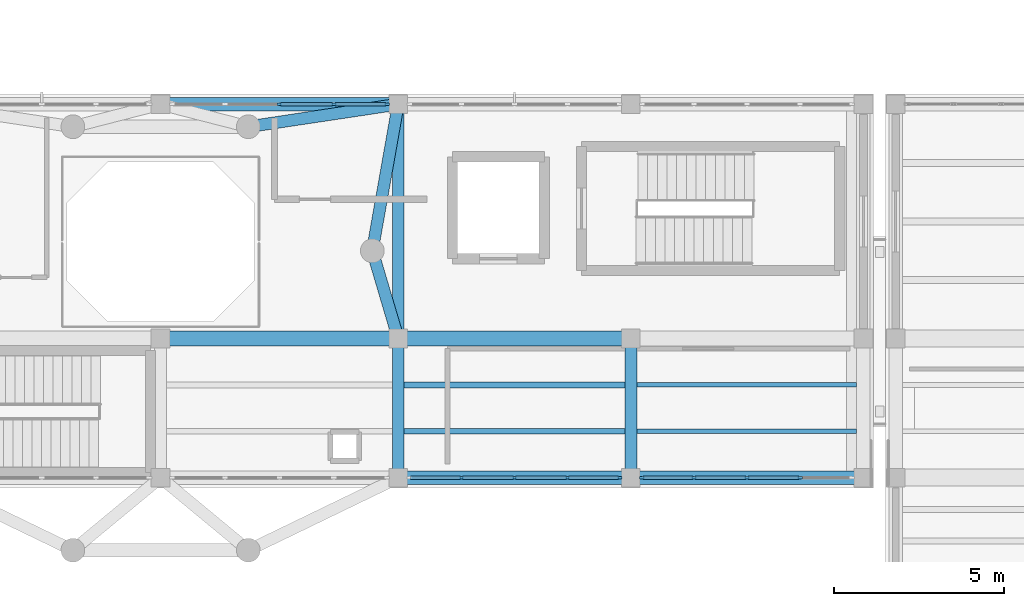
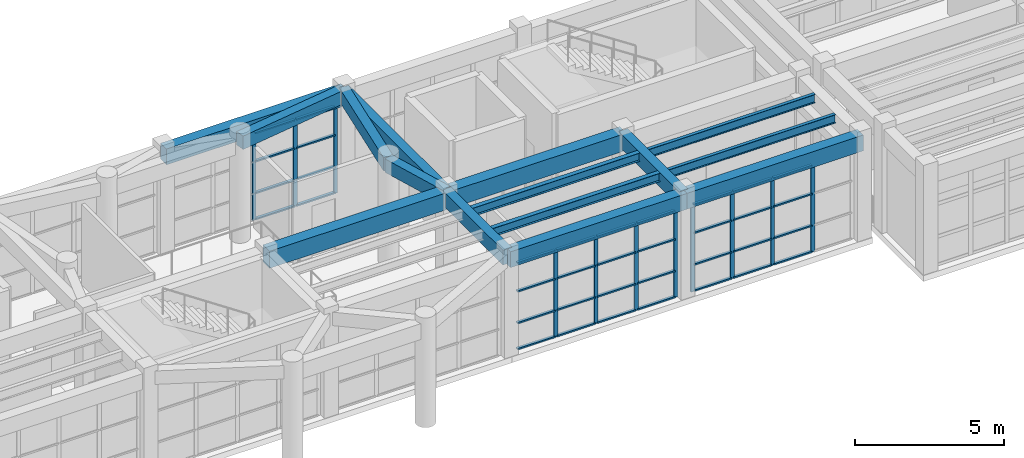
# One storey, part 19 of 85: 47 members, 15 beams, 3 elements without a shape of their own.
"""IFC4 building model written with IfcOpenShell, lengths in metres."""

import ifcopenshell
import ifcopenshell.guid

model = None  # the IFC model being written
_history = None  # IfcOwnerHistory: only IFC2X3 demands one
_inside = {}  # id of a spatial element -> (the spatial element, [elements in it])
_under = {}  # id of a project, library or spatial element -> (it, [spatial elements below it])
_declared = {}  # id of a project -> (the project, [libraries it declares])
_typed = {}  # id of a type object -> (the type object, [elements of that type])
_made_of = {}  # id of a material, layer set ... -> (it, [elements and type objects made of it])


def new_model(schema):
    """Start an empty IFC model of exactly this schema.

    Asked for "IFC4X3", IfcOpenShell would pick the latest addendum, in which some entities
    have other attributes; the version numbers below select the first issue.
    IFC2X3 requires an IfcOwnerHistory on every rooted entity: one is made here for all.
    """
    global model, _history
    if schema == "IFC4X3":
        model = ifcopenshell.file(schema_version=(4, 3, 0, 0))
    else:
        model = ifcopenshell.file(schema=schema)
    _inside.clear()
    _under.clear()
    _declared.clear()
    _typed.clear()
    _made_of.clear()
    _history = None
    if model.schema == "IFC2X3":
        org = make("IfcOrganization", Name="unknown")
        user = make(
            "IfcPersonAndOrganization",
            ThePerson=make("IfcPerson", FamilyName="unknown"),
            TheOrganization=org,
        )
        app = make(
            "IfcApplication",
            ApplicationDeveloper=org,
            Version="unknown",
            ApplicationFullName="unknown",
            ApplicationIdentifier="unknown",
        )
        _history = make(
            "IfcOwnerHistory",
            OwningUser=user,
            OwningApplication=app,
            ChangeAction="ADDED",
            CreationDate=0,
        )
    return model


def make(cls, **values):
    """One entity of the class cls with the attributes given. An attribute that is None is left unset."""
    return model.create_entity(
        cls, **{name: value for name, value in values.items() if value is not None}
    )


def rooted(cls, **values):
    """An entity with a GlobalId (a new one), such as an element, a storey or a relation."""
    return make(cls, GlobalId=ifcopenshell.guid.new(), OwnerHistory=_history, **values)


def si_unit(unit_type, name, prefix=None):
    """IfcSIUnit, for example si_unit("LENGTHUNIT", "METRE", prefix="MILLI")."""
    return make("IfcSIUnit", UnitType=unit_type, Prefix=prefix, Name=name)


def assignment(units):
    """IfcUnitAssignment: the units of a project."""
    return None if units is None else make("IfcUnitAssignment", Units=units)


def point(xyz):
    """IfcCartesianPoint."""
    return None if xyz is None else make("IfcCartesianPoint", Coordinates=xyz)


def direction(xyz):
    """IfcDirection."""
    return None if xyz is None else make("IfcDirection", DirectionRatios=xyz)


def frame(location, z_axis=None, x_axis=None):
    """IfcAxis2Placement3D, a coordinate frame: its origin and axes. An axis left out is left unset."""
    return make(
        "IfcAxis2Placement3D",
        Location=point(location),
        Axis=direction(z_axis),
        RefDirection=direction(x_axis),
    )


def frame_2d(location, x_axis=None):
    """IfcAxis2Placement2D, a coordinate frame in the plane: its origin and x axis."""
    return make(
        "IfcAxis2Placement2D", Location=point(location), RefDirection=direction(x_axis)
    )


def origin():
    """The frame at (0, 0, 0) with its axes left unset."""
    return frame((0.0, 0.0, 0.0))


def origin_2d():
    """The frame at (0, 0) in the plane with its x axis left unset."""
    return frame_2d((0.0, 0.0))


def place(relative_to, where):
    """IfcLocalPlacement: puts the frame where relative to a parent placement (None: the world)."""
    return make(
        "IfcLocalPlacement", PlacementRelTo=relative_to, RelativePlacement=where
    )


def context(
    kind, dimensions, precision=None, world=None, true_north=None, identifier=None
):
    """IfcGeometricRepresentationContext, for example the 3D "Model" context."""
    return make(
        "IfcGeometricRepresentationContext",
        ContextIdentifier=identifier,
        ContextType=kind,
        CoordinateSpaceDimension=dimensions,
        Precision=precision,
        WorldCoordinateSystem=world,
        TrueNorth=true_north,
    )


def subcontext(parent, identifier, kind, view, scale=None):
    """IfcGeometricRepresentationSubContext, for example "Body" below "Model"."""
    return make(
        "IfcGeometricRepresentationSubContext",
        ContextIdentifier=identifier,
        ContextType=kind,
        ParentContext=parent,
        TargetScale=scale,
        TargetView=view,
    )


def project(units=None, contexts=None):
    """IfcProject with its units and contexts."""
    return rooted(
        "IfcProject",
        Name="project",
        RepresentationContexts=contexts,
        UnitsInContext=assignment(units),
    )


def spatial(cls, under=None, at=None, **own):
    """A site, building, storey or space (cls), placed at a placement, below another one or the project."""
    s = rooted(cls, ObjectPlacement=at, **own)
    if under is not None:
        _under.setdefault(under.id(), (under, []))[1].append(s)
    return s


def profile(cls, at=None, kind="AREA", **sizes):
    """A parametric profile (cls). Its sizes go by their IFC names, for example OverallWidth=200.0."""
    return make(cls, ProfileType=kind, Position=at, **sizes)


def rectangle(**sizes):
    """IfcRectangleProfileDef."""
    return profile("IfcRectangleProfileDef", **sizes)


def i_section(**sizes):
    """IfcIShapeProfileDef."""
    return profile("IfcIShapeProfileDef", **sizes)


def extrude(swept, where, along, depth):
    """IfcExtrudedAreaSolid: the profile swept, set in the frame where, extruded along a direction by depth."""
    return make(
        "IfcExtrudedAreaSolid",
        SweptArea=swept,
        Position=where,
        ExtrudedDirection=direction(along),
        Depth=depth,
    )


def shape(context_of_items, identifier, shape_type, items):
    """IfcShapeRepresentation: the items that make up one representation, for example the "Body"."""
    return make(
        "IfcShapeRepresentation",
        ContextOfItems=context_of_items,
        RepresentationIdentifier=identifier,
        RepresentationType=shape_type,
        Items=items,
    )


def material(Name=None, Category=None):
    """IfcMaterial."""
    return make("IfcMaterial", Name=Name, Category=Category)


def layer(
    of_material, thickness, ventilated=None, Name=None, Category=None, Priority=None
):
    """IfcMaterialLayer: one layer of a wall or slab, of a material (None: an air gap)."""
    return make(
        "IfcMaterialLayer",
        Material=of_material,
        LayerThickness=thickness,
        IsVentilated=ventilated,
        Name=Name,
        Category=Category,
        Priority=Priority,
    )


def layer_set(layers, Name=None):
    """IfcMaterialLayerSet."""
    return make("IfcMaterialLayerSet", MaterialLayers=layers, LayerSetName=Name)


def material_profile(
    of_material, cross_section, Name=None, Category=None, Priority=None
):
    """IfcMaterialProfile: a cross section and its material."""
    return make(
        "IfcMaterialProfile",
        Name=Name,
        Material=of_material,
        Profile=cross_section,
        Priority=Priority,
        Category=Category,
    )


def profile_set(profiles, Name=None, composite=None):
    """IfcMaterialProfileSet."""
    return make(
        "IfcMaterialProfileSet",
        Name=Name,
        MaterialProfiles=profiles,
        CompositeProfile=composite,
    )


def made_of(thing, what):
    """Note that an element or type object is made of a material, layer set ...; save() writes the relation."""
    if what is not None:
        _made_of.setdefault(what.id(), (what, []))[1].append(thing)
    return thing


def type_object(cls, material=None, **own):
    """A type object (cls), such as IfcWallType, which elements share."""
    return made_of(rooted(cls, **own), material)


def element(
    cls,
    number,
    at=None,
    inside=None,
    cuts=None,
    type_object=None,
    material=None,
    context=None,
    identifier="Body",
    shape_type=None,
    held_by="IfcProductDefinitionShape",
    body=None,
    shapes=None,
    **own,
):
    """One element of the class cls, such as IfcWall. Its Tag is "e" and its number.

    at: its placement. inside: the storey or other place that contains it. cuts: it is an
    opening in that element (IfcRelVoidsElement). A single representation is given by context,
    identifier, shape_type and body (its items); several are given by shapes. held_by: the class
    of the entity that holds the representations. save() writes the other relations.
    """
    e = rooted(cls, Tag="e%d" % number, ObjectPlacement=at, **own)
    if body is not None:
        shapes = [shape(context, identifier, shape_type, body)]
    if shapes is not None:
        e.Representation = make(held_by, Representations=shapes)
    if inside is not None:
        _inside.setdefault(inside.id(), (inside, []))[1].append(e)
    if cuts is not None:
        rooted(
            "IfcRelVoidsElement", RelatingBuildingElement=cuts, RelatedOpeningElement=e
        )
    if type_object is not None:
        _typed.setdefault(type_object.id(), (type_object, []))[1].append(e)
    return made_of(e, material)


def aggregate(whole, parts):
    """IfcRelAggregates: a whole, such as a stair, and the parts it consists of."""
    return rooted("IfcRelAggregates", RelatingObject=whole, RelatedObjects=parts)


def save(model, path):
    """Write the relations noted so far, then the file.

    IfcRelAggregates (storeys below a building ...), IfcRelContainedInSpatialStructure (elements
    in a storey), IfcRelDefinesByType, IfcRelAssociatesMaterial and IfcRelDeclares: one each for
    every whole, place, type object, material and project.
    """
    for whole, parts in _under.values():
        aggregate(whole, parts)
    for where, things in _inside.values():
        rooted(
            "IfcRelContainedInSpatialStructure",
            RelatedElements=things,
            RelatingStructure=where,
        )
    for kind, things in _typed.values():
        rooted("IfcRelDefinesByType", RelatedObjects=things, RelatingType=kind)
    for what, things in _made_of.values():
        rooted("IfcRelAssociatesMaterial", RelatedObjects=things, RelatingMaterial=what)
    for by, libraries in _declared.values():
        rooted("IfcRelDeclares", RelatingContext=by, RelatedDefinitions=libraries)
    model.write(path)


model = new_model("IFC4")

# Units and contexts
model_context = context("Model", 3, precision=1e-05, world=origin(), true_north=direction((0.0, 1.0)))
body_context = subcontext(model_context, "Body", "Model", "MODEL_VIEW")
ifc_project = project(units=[si_unit("LENGTHUNIT", "METRE"), si_unit("AREAUNIT", "SQUARE_METRE"), si_unit("VOLUMEUNIT", "CUBIC_METRE"), si_unit("PLANEANGLEUNIT", "RADIAN"), si_unit("MASSUNIT", "GRAM", prefix="KILO")], contexts=[model_context])

# Site, building, storey
site_placement = place(None, origin())
site = spatial("IfcSite", under=ifc_project, at=site_placement, CompositionType="ELEMENT")
building_placement = place(site_placement, origin())
building = spatial("IfcBuilding", under=site, at=building_placement, Name="Candilejo Ridge Gondola Terminal", CompositionType="ELEMENT")
storey_placement = place(building_placement, frame((0.0, 0.0, 4.5)))
storey = spatial("IfcBuildingStorey", under=building, at=storey_placement, Name="L01", CompositionType="ELEMENT", Elevation=4.5)

# Curtain wall, members
ifc_material_1 = material(Name="Anodised aluminium AA 6063-T6", Category="aluminium")
ifc_layer_1 = layer(ifc_material_1, 0.169921875)
ifc_layer_set_1 = layer_set([ifc_layer_1], Name="ARC-CW-DRUM-3400-640X359")
curtain_wall_type_1 = type_object("IfcCurtainWallType", Name="ARC-CW-DRUM-3400-640X359", PredefinedType="NOTDEFINED", material=ifc_layer_set_1)
curtain_wall_1_placement = place(storey_placement, origin())
curtain_wall_1 = element("IfcCurtainWall", 1, at=curtain_wall_1_placement, inside=storey, type_object=curtain_wall_type_1, Name="Curtain wall V2 L01-040", PredefinedType="NOTDEFINED")
ifc_material_2 = material(Name="Anodised aluminium AA 6063-T6", Category="aluminium")
ifc_material_profile_1 = material_profile(ifc_material_2, rectangle(XDim=0.06494140625, YDim=0.14990234375, at=origin_2d()))
ifc_profile_set_1 = profile_set([ifc_material_profile_1], Name="Anodised aluminium AA 6063-T6")
member_type_1 = type_object("IfcMemberType", Name="ARC-CW-MULLION-150", PredefinedType="MULLION", material=ifc_profile_set_1)
member_1_placement = place(storey_placement, frame((68.85009765625, 36.699951171875, 0.0), z_axis=(0.0, 0.0, 1.0), x_axis=(0.0, 1.0, 0.0)))
member_1 = element("IfcMember", 2, at=member_1_placement, type_object=member_type_1, Name="CW-64X35 mullion 3", PredefinedType="MULLION", context=body_context, shape_type="SweptSolid", body=[
    extrude(rectangle(XDim=0.06494140625, YDim=0.14990234375, at=origin_2d()), origin(), (0.0, 0.0, 1.0), 3.590087890625),
])
member_2_placement = place(storey_placement, frame((70.449951171875, 36.699951171875, 0.0), z_axis=(0.0, 0.0, 1.0), x_axis=(0.0, 1.0, 0.0)))
member_2 = element("IfcMember", 3, at=member_2_placement, type_object=member_type_1, Name="CW-64X35 mullion 4", PredefinedType="MULLION", context=body_context, shape_type="SweptSolid", body=[
    extrude(rectangle(XDim=0.06494140625, YDim=0.14990234375, at=origin_2d()), origin(), (0.0, 0.0, 1.0), 3.590087890625),
])
member_3_placement = place(storey_placement, frame((72.017578125, 36.699951171875, 0.0), z_axis=(0.0, 0.0, 1.0), x_axis=(0.0, 1.0, 0.0)))
member_3 = element("IfcMember", 4, at=member_3_placement, type_object=member_type_1, Name="CW-64X35 mullion 5", PredefinedType="MULLION", context=body_context, shape_type="SweptSolid", body=[
    extrude(rectangle(XDim=0.06494140625, YDim=0.14990234375, at=origin_2d()), origin(), (0.0, 0.0, 1.0), 3.590087890625),
])

ifc_material_3 = material(Name="Anodised aluminium AA 6063-T6", Category="aluminium")
ifc_layer_2 = layer(ifc_material_3, 0.169921875)
ifc_layer_set_2 = layer_set([ifc_layer_2], Name="ARC-CW-DRUM-3400-625X359")
curtain_wall_type_2 = type_object("IfcCurtainWallType", Name="ARC-CW-DRUM-3400-625X359", PredefinedType="NOTDEFINED", material=ifc_layer_set_2)
curtain_wall_2_placement = place(storey_placement, origin())
curtain_wall_2 = element("IfcCurtainWall", 5, at=curtain_wall_2_placement, inside=storey, type_object=curtain_wall_type_2, Name="Curtain wall V2 L01-043", PredefinedType="NOTDEFINED")
member_4_placement = place(storey_placement, frame((74.21240234375, 25.699951171875, 0.0), z_axis=(0.0, 0.0, 1.0), x_axis=(0.0, 1.0, 0.0)))
member_4 = element("IfcMember", 6, at=member_4_placement, type_object=member_type_1, Name="CW-62X35 mullion 2", PredefinedType="MULLION", context=body_context, shape_type="SweptSolid", body=[
    extrude(rectangle(XDim=0.06494140625, YDim=0.14990234375, at=origin_2d()), origin(), (0.0, 0.0, 1.0), 3.590087890625),
])
member_5_placement = place(storey_placement, frame((75.77490234375, 25.699951171875, 0.0), z_axis=(0.0, 0.0, 1.0), x_axis=(0.0, 1.0, 0.0)))
member_5 = element("IfcMember", 7, at=member_5_placement, type_object=member_type_1, Name="CW-62X35 mullion 3", PredefinedType="MULLION", context=body_context, shape_type="SweptSolid", body=[
    extrude(rectangle(XDim=0.06494140625, YDim=0.14990234375, at=origin_2d()), origin(), (0.0, 0.0, 1.0), 3.590087890625),
])
member_6_placement = place(storey_placement, frame((77.33740234375, 25.699951171875, 0.0), z_axis=(0.0, 0.0, 1.0), x_axis=(0.0, 1.0, 0.0)))
member_6 = element("IfcMember", 8, at=member_6_placement, type_object=member_type_1, Name="CW-62X35 mullion 4", PredefinedType="MULLION", context=body_context, shape_type="SweptSolid", body=[
    extrude(rectangle(XDim=0.06494140625, YDim=0.14990234375, at=origin_2d()), origin(), (0.0, 0.0, 1.0), 3.590087890625),
])
member_7_placement = place(storey_placement, frame((78.867431640625, 25.699951171875, 0.0), z_axis=(0.0, 0.0, 1.0), x_axis=(0.0, 1.0, 0.0)))
member_7 = element("IfcMember", 9, at=member_7_placement, type_object=member_type_1, Name="CW-62X35 mullion 5", PredefinedType="MULLION", context=body_context, shape_type="SweptSolid", body=[
    extrude(rectangle(XDim=0.06494140625, YDim=0.14990234375, at=origin_2d()), origin(), (0.0, 0.0, 1.0), 3.590087890625),
])

curtain_wall_3_placement = place(storey_placement, origin())
curtain_wall_3 = element("IfcCurtainWall", 10, at=curtain_wall_3_placement, inside=storey, type_object=curtain_wall_type_2, Name="Curtain wall V2 L01-045", PredefinedType="NOTDEFINED")
member_8_placement = place(storey_placement, frame((79.532470703125, 25.699951171875, 0.0), z_axis=(0.0, 0.0, 1.0), x_axis=(0.0, 1.0, 0.0)))
member_8 = element("IfcMember", 11, at=member_8_placement, type_object=member_type_1, Name="CW-62X35 mullion 1", PredefinedType="MULLION", context=body_context, shape_type="SweptSolid", body=[
    extrude(rectangle(XDim=0.06494140625, YDim=0.14990234375, at=origin_2d()), origin(), (0.0, 0.0, 1.0), 3.590087890625),
])
member_9_placement = place(storey_placement, frame((81.0625, 25.699951171875, 0.0), z_axis=(0.0, 0.0, 1.0), x_axis=(0.0, 1.0, 0.0)))
member_9 = element("IfcMember", 12, at=member_9_placement, type_object=member_type_1, Name="CW-62X35 mullion 2", PredefinedType="MULLION", context=body_context, shape_type="SweptSolid", body=[
    extrude(rectangle(XDim=0.06494140625, YDim=0.14990234375, at=origin_2d()), origin(), (0.0, 0.0, 1.0), 3.590087890625),
])
member_10_placement = place(storey_placement, frame((82.625, 25.699951171875, 0.0), z_axis=(0.0, 0.0, 1.0), x_axis=(0.0, 1.0, 0.0)))
member_10 = element("IfcMember", 13, at=member_10_placement, type_object=member_type_1, Name="CW-62X35 mullion 3", PredefinedType="MULLION", context=body_context, shape_type="SweptSolid", body=[
    extrude(rectangle(XDim=0.06494140625, YDim=0.14990234375, at=origin_2d()), origin(), (0.0, 0.0, 1.0), 3.590087890625),
])
member_11_placement = place(storey_placement, frame((84.1875, 25.699951171875, 0.0), z_axis=(0.0, 0.0, 1.0), x_axis=(0.0, 1.0, 0.0)))
member_11 = element("IfcMember", 14, at=member_11_placement, type_object=member_type_1, Name="CW-62X35 mullion 4", PredefinedType="MULLION", context=body_context, shape_type="SweptSolid", body=[
    extrude(rectangle(XDim=0.06494140625, YDim=0.14990234375, at=origin_2d()), origin(), (0.0, 0.0, 1.0), 3.590087890625),
])

# Member
ifc_material_4 = material(Name="Anodised aluminium AA 6063-T6", Category="aluminium")
ifc_material_profile_2 = material_profile(ifc_material_4, rectangle(XDim=0.110107421875, YDim=0.06005859375, at=origin_2d()))
ifc_profile_set_2 = profile_set([ifc_material_profile_2], Name="Anodised aluminium AA 6063-T6")
member_type_2 = type_object("IfcMemberType", Name="ARC-CW-TRANSOM-110", PredefinedType="USERDEFINED", material=ifc_profile_set_2)
member_12_placement = place(storey_placement, frame((68.882568359375, 36.699951171875, 0.030029296875), z_axis=(1.0, 0.0, 0.0), x_axis=(0.0, 1.0, 0.0)))
member_12 = element("IfcMember", 15, at=member_12_placement, type_object=member_type_2, Name="CW-64X35 transom 3.1", ObjectType="TRANSOM", PredefinedType="USERDEFINED", context=body_context, shape_type="SweptSolid", body=[
    extrude(rectangle(XDim=0.110107421875, YDim=0.06005859375, at=origin_2d()), origin(), (0.0, 0.0, 1.0), 1.534912109375),
])

member_13_placement = place(storey_placement, frame((68.882568359375, 36.699951171875, 1.10009765625), z_axis=(1.0, 0.0, 0.0), x_axis=(0.0, 1.0, 0.0)))
member_13 = element("IfcMember", 16, at=member_13_placement, type_object=member_type_2, Name="CW-64X35 transom 3.2", ObjectType="TRANSOM", PredefinedType="USERDEFINED", context=body_context, shape_type="SweptSolid", body=[
    extrude(rectangle(XDim=0.110107421875, YDim=0.06005859375, at=origin_2d()), origin(), (0.0, 0.0, 1.0), 1.534912109375),
])

member_14_placement = place(storey_placement, frame((68.882568359375, 36.699951171875, 2.39990234375), z_axis=(1.0, 0.0, 0.0), x_axis=(0.0, 1.0, 0.0)))
member_14 = element("IfcMember", 17, at=member_14_placement, type_object=member_type_2, Name="CW-64X35 transom 3.3", ObjectType="TRANSOM", PredefinedType="USERDEFINED", context=body_context, shape_type="SweptSolid", body=[
    extrude(rectangle(XDim=0.110107421875, YDim=0.06005859375, at=origin_2d()), origin(), (0.0, 0.0, 1.0), 1.534912109375),
])

member_15_placement = place(storey_placement, frame((68.882568359375, 36.699951171875, 3.56005859375), z_axis=(1.0, 0.0, 0.0), x_axis=(0.0, 1.0, 0.0)))
member_15 = element("IfcMember", 18, at=member_15_placement, type_object=member_type_2, Name="CW-64X35 transom 3.4", ObjectType="TRANSOM", PredefinedType="USERDEFINED", context=body_context, shape_type="SweptSolid", body=[
    extrude(rectangle(XDim=0.110107421875, YDim=0.06005859375, at=origin_2d()), origin(), (0.0, 0.0, 1.0), 1.534912109375),
])

member_16_placement = place(storey_placement, frame((70.482421875, 36.699951171875, 0.030029296875), z_axis=(1.0, 0.0, 0.0), x_axis=(0.0, 1.0, 0.0)))
member_16 = element("IfcMember", 19, at=member_16_placement, type_object=member_type_2, Name="CW-64X35 transom 4.1", ObjectType="TRANSOM", PredefinedType="USERDEFINED", context=body_context, shape_type="SweptSolid", body=[
    extrude(rectangle(XDim=0.110107421875, YDim=0.06005859375, at=origin_2d()), origin(), (0.0, 0.0, 1.0), 1.502685546875),
])

member_17_placement = place(storey_placement, frame((70.482421875, 36.699951171875, 1.10009765625), z_axis=(1.0, 0.0, 0.0), x_axis=(0.0, 1.0, 0.0)))
member_17 = element("IfcMember", 20, at=member_17_placement, type_object=member_type_2, Name="CW-64X35 transom 4.2", ObjectType="TRANSOM", PredefinedType="USERDEFINED", context=body_context, shape_type="SweptSolid", body=[
    extrude(rectangle(XDim=0.110107421875, YDim=0.06005859375, at=origin_2d()), origin(), (0.0, 0.0, 1.0), 1.502685546875),
])

member_18_placement = place(storey_placement, frame((70.482421875, 36.699951171875, 2.39990234375), z_axis=(1.0, 0.0, 0.0), x_axis=(0.0, 1.0, 0.0)))
member_18 = element("IfcMember", 21, at=member_18_placement, type_object=member_type_2, Name="CW-64X35 transom 4.3", ObjectType="TRANSOM", PredefinedType="USERDEFINED", context=body_context, shape_type="SweptSolid", body=[
    extrude(rectangle(XDim=0.110107421875, YDim=0.06005859375, at=origin_2d()), origin(), (0.0, 0.0, 1.0), 1.502685546875),
])

member_19_placement = place(storey_placement, frame((70.482421875, 36.699951171875, 3.56005859375), z_axis=(1.0, 0.0, 0.0), x_axis=(0.0, 1.0, 0.0)))
member_19 = element("IfcMember", 22, at=member_19_placement, type_object=member_type_2, Name="CW-64X35 transom 4.4", ObjectType="TRANSOM", PredefinedType="USERDEFINED", context=body_context, shape_type="SweptSolid", body=[
    extrude(rectangle(XDim=0.110107421875, YDim=0.06005859375, at=origin_2d()), origin(), (0.0, 0.0, 1.0), 1.502685546875),
])

aggregate(curtain_wall_1, [member_1, member_2, member_3, member_12, member_13, member_14, member_15, member_16, member_17, member_18, member_19])

member_20_placement = place(storey_placement, frame((72.715087890625, 25.699951171875, 0.030029296875), z_axis=(1.0, 0.0, 0.0), x_axis=(0.0, 1.0, 0.0)))
member_20 = element("IfcMember", 23, at=member_20_placement, type_object=member_type_2, Name="CW-62X35 transom 1.1", ObjectType="TRANSOM", PredefinedType="USERDEFINED", context=body_context, shape_type="SweptSolid", body=[
    extrude(rectangle(XDim=0.110107421875, YDim=0.06005859375, at=origin_2d()), origin(), (0.0, 0.0, 1.0), 1.46484375),
])

member_21_placement = place(storey_placement, frame((72.715087890625, 25.699951171875, 1.10009765625), z_axis=(1.0, 0.0, 0.0), x_axis=(0.0, 1.0, 0.0)))
member_21 = element("IfcMember", 24, at=member_21_placement, type_object=member_type_2, Name="CW-62X35 transom 1.2", ObjectType="TRANSOM", PredefinedType="USERDEFINED", context=body_context, shape_type="SweptSolid", body=[
    extrude(rectangle(XDim=0.110107421875, YDim=0.06005859375, at=origin_2d()), origin(), (0.0, 0.0, 1.0), 1.46484375),
])

member_22_placement = place(storey_placement, frame((72.715087890625, 25.699951171875, 2.39990234375), z_axis=(1.0, 0.0, 0.0), x_axis=(0.0, 1.0, 0.0)))
member_22 = element("IfcMember", 25, at=member_22_placement, type_object=member_type_2, Name="CW-62X35 transom 1.3", ObjectType="TRANSOM", PredefinedType="USERDEFINED", context=body_context, shape_type="SweptSolid", body=[
    extrude(rectangle(XDim=0.110107421875, YDim=0.06005859375, at=origin_2d()), origin(), (0.0, 0.0, 1.0), 1.46484375),
])

member_23_placement = place(storey_placement, frame((72.715087890625, 25.699951171875, 3.56005859375), z_axis=(1.0, 0.0, 0.0), x_axis=(0.0, 1.0, 0.0)))
member_23 = element("IfcMember", 26, at=member_23_placement, type_object=member_type_2, Name="CW-62X35 transom 1.4", ObjectType="TRANSOM", PredefinedType="USERDEFINED", context=body_context, shape_type="SweptSolid", body=[
    extrude(rectangle(XDim=0.110107421875, YDim=0.06005859375, at=origin_2d()), origin(), (0.0, 0.0, 1.0), 1.46484375),
])

member_24_placement = place(storey_placement, frame((74.2451171875, 25.699951171875, 0.030029296875), z_axis=(1.0, 0.0, 0.0), x_axis=(0.0, 1.0, 0.0)))
member_24 = element("IfcMember", 27, at=member_24_placement, type_object=member_type_2, Name="CW-62X35 transom 2.1", ObjectType="TRANSOM", PredefinedType="USERDEFINED", context=body_context, shape_type="SweptSolid", body=[
    extrude(rectangle(XDim=0.110107421875, YDim=0.06005859375, at=origin_2d()), origin(), (0.0, 0.0, 1.0), 1.497314453125),
])

member_25_placement = place(storey_placement, frame((74.2451171875, 25.699951171875, 1.10009765625), z_axis=(1.0, 0.0, 0.0), x_axis=(0.0, 1.0, 0.0)))
member_25 = element("IfcMember", 28, at=member_25_placement, type_object=member_type_2, Name="CW-62X35 transom 2.2", ObjectType="TRANSOM", PredefinedType="USERDEFINED", context=body_context, shape_type="SweptSolid", body=[
    extrude(rectangle(XDim=0.110107421875, YDim=0.06005859375, at=origin_2d()), origin(), (0.0, 0.0, 1.0), 1.497314453125),
])

member_26_placement = place(storey_placement, frame((74.2451171875, 25.699951171875, 2.39990234375), z_axis=(1.0, 0.0, 0.0), x_axis=(0.0, 1.0, 0.0)))
member_26 = element("IfcMember", 29, at=member_26_placement, type_object=member_type_2, Name="CW-62X35 transom 2.3", ObjectType="TRANSOM", PredefinedType="USERDEFINED", context=body_context, shape_type="SweptSolid", body=[
    extrude(rectangle(XDim=0.110107421875, YDim=0.06005859375, at=origin_2d()), origin(), (0.0, 0.0, 1.0), 1.497314453125),
])

member_27_placement = place(storey_placement, frame((74.2451171875, 25.699951171875, 3.56005859375), z_axis=(1.0, 0.0, 0.0), x_axis=(0.0, 1.0, 0.0)))
member_27 = element("IfcMember", 30, at=member_27_placement, type_object=member_type_2, Name="CW-62X35 transom 2.4", ObjectType="TRANSOM", PredefinedType="USERDEFINED", context=body_context, shape_type="SweptSolid", body=[
    extrude(rectangle(XDim=0.110107421875, YDim=0.06005859375, at=origin_2d()), origin(), (0.0, 0.0, 1.0), 1.497314453125),
])

member_28_placement = place(storey_placement, frame((75.8076171875, 25.699951171875, 0.030029296875), z_axis=(1.0, 0.0, 0.0), x_axis=(0.0, 1.0, 0.0)))
member_28 = element("IfcMember", 31, at=member_28_placement, type_object=member_type_2, Name="CW-62X35 transom 3.1", ObjectType="TRANSOM", PredefinedType="USERDEFINED", context=body_context, shape_type="SweptSolid", body=[
    extrude(rectangle(XDim=0.110107421875, YDim=0.06005859375, at=origin_2d()), origin(), (0.0, 0.0, 1.0), 1.497314453125),
])

member_29_placement = place(storey_placement, frame((75.8076171875, 25.699951171875, 1.10009765625), z_axis=(1.0, 0.0, 0.0), x_axis=(0.0, 1.0, 0.0)))
member_29 = element("IfcMember", 32, at=member_29_placement, type_object=member_type_2, Name="CW-62X35 transom 3.2", ObjectType="TRANSOM", PredefinedType="USERDEFINED", context=body_context, shape_type="SweptSolid", body=[
    extrude(rectangle(XDim=0.110107421875, YDim=0.06005859375, at=origin_2d()), origin(), (0.0, 0.0, 1.0), 1.497314453125),
])

member_30_placement = place(storey_placement, frame((75.8076171875, 25.699951171875, 2.39990234375), z_axis=(1.0, 0.0, 0.0), x_axis=(0.0, 1.0, 0.0)))
member_30 = element("IfcMember", 33, at=member_30_placement, type_object=member_type_2, Name="CW-62X35 transom 3.3", ObjectType="TRANSOM", PredefinedType="USERDEFINED", context=body_context, shape_type="SweptSolid", body=[
    extrude(rectangle(XDim=0.110107421875, YDim=0.06005859375, at=origin_2d()), origin(), (0.0, 0.0, 1.0), 1.497314453125),
])

member_31_placement = place(storey_placement, frame((75.8076171875, 25.699951171875, 3.56005859375), z_axis=(1.0, 0.0, 0.0), x_axis=(0.0, 1.0, 0.0)))
member_31 = element("IfcMember", 34, at=member_31_placement, type_object=member_type_2, Name="CW-62X35 transom 3.4", ObjectType="TRANSOM", PredefinedType="USERDEFINED", context=body_context, shape_type="SweptSolid", body=[
    extrude(rectangle(XDim=0.110107421875, YDim=0.06005859375, at=origin_2d()), origin(), (0.0, 0.0, 1.0), 1.497314453125),
])

member_32_placement = place(storey_placement, frame((77.3701171875, 25.699951171875, 0.030029296875), z_axis=(1.0, 0.0, 0.0), x_axis=(0.0, 1.0, 0.0)))
member_32 = element("IfcMember", 35, at=member_32_placement, type_object=member_type_2, Name="CW-62X35 transom 4.1", ObjectType="TRANSOM", PredefinedType="USERDEFINED", context=body_context, shape_type="SweptSolid", body=[
    extrude(rectangle(XDim=0.110107421875, YDim=0.06005859375, at=origin_2d()), origin(), (0.0, 0.0, 1.0), 1.46484375),
])

member_33_placement = place(storey_placement, frame((77.3701171875, 25.699951171875, 1.10009765625), z_axis=(1.0, 0.0, 0.0), x_axis=(0.0, 1.0, 0.0)))
member_33 = element("IfcMember", 36, at=member_33_placement, type_object=member_type_2, Name="CW-62X35 transom 4.2", ObjectType="TRANSOM", PredefinedType="USERDEFINED", context=body_context, shape_type="SweptSolid", body=[
    extrude(rectangle(XDim=0.110107421875, YDim=0.06005859375, at=origin_2d()), origin(), (0.0, 0.0, 1.0), 1.46484375),
])

member_34_placement = place(storey_placement, frame((77.3701171875, 25.699951171875, 2.39990234375), z_axis=(1.0, 0.0, 0.0), x_axis=(0.0, 1.0, 0.0)))
member_34 = element("IfcMember", 37, at=member_34_placement, type_object=member_type_2, Name="CW-62X35 transom 4.3", ObjectType="TRANSOM", PredefinedType="USERDEFINED", context=body_context, shape_type="SweptSolid", body=[
    extrude(rectangle(XDim=0.110107421875, YDim=0.06005859375, at=origin_2d()), origin(), (0.0, 0.0, 1.0), 1.46484375),
])

member_35_placement = place(storey_placement, frame((77.3701171875, 25.699951171875, 3.56005859375), z_axis=(1.0, 0.0, 0.0), x_axis=(0.0, 1.0, 0.0)))
member_35 = element("IfcMember", 38, at=member_35_placement, type_object=member_type_2, Name="CW-62X35 transom 4.4", ObjectType="TRANSOM", PredefinedType="USERDEFINED", context=body_context, shape_type="SweptSolid", body=[
    extrude(rectangle(XDim=0.110107421875, YDim=0.06005859375, at=origin_2d()), origin(), (0.0, 0.0, 1.0), 1.46484375),
])

aggregate(curtain_wall_2, [member_4, member_5, member_6, member_7, member_20, member_21, member_22, member_23, member_24, member_25, member_26, member_27, member_28, member_29, member_30, member_31, member_32, member_33, member_34, member_35])

member_36_placement = place(storey_placement, frame((79.56494140625, 25.699951171875, 0.030029296875), z_axis=(1.0, 0.0, 0.0), x_axis=(0.0, 1.0, 0.0)))
member_36 = element("IfcMember", 39, at=member_36_placement, type_object=member_type_2, Name="CW-62X35 transom 1.1", ObjectType="TRANSOM", PredefinedType="USERDEFINED", context=body_context, shape_type="SweptSolid", body=[
    extrude(rectangle(XDim=0.110107421875, YDim=0.06005859375, at=origin_2d()), origin(), (0.0, 0.0, 1.0), 1.465087890625),
])

member_37_placement = place(storey_placement, frame((79.56494140625, 25.699951171875, 1.10009765625), z_axis=(1.0, 0.0, 0.0), x_axis=(0.0, 1.0, 0.0)))
member_37 = element("IfcMember", 40, at=member_37_placement, type_object=member_type_2, Name="CW-62X35 transom 1.2", ObjectType="TRANSOM", PredefinedType="USERDEFINED", context=body_context, shape_type="SweptSolid", body=[
    extrude(rectangle(XDim=0.110107421875, YDim=0.06005859375, at=origin_2d()), origin(), (0.0, 0.0, 1.0), 1.465087890625),
])

member_38_placement = place(storey_placement, frame((79.56494140625, 25.699951171875, 2.39990234375), z_axis=(1.0, 0.0, 0.0), x_axis=(0.0, 1.0, 0.0)))
member_38 = element("IfcMember", 41, at=member_38_placement, type_object=member_type_2, Name="CW-62X35 transom 1.3", ObjectType="TRANSOM", PredefinedType="USERDEFINED", context=body_context, shape_type="SweptSolid", body=[
    extrude(rectangle(XDim=0.110107421875, YDim=0.06005859375, at=origin_2d()), origin(), (0.0, 0.0, 1.0), 1.465087890625),
])

member_39_placement = place(storey_placement, frame((79.56494140625, 25.699951171875, 3.56005859375), z_axis=(1.0, 0.0, 0.0), x_axis=(0.0, 1.0, 0.0)))
member_39 = element("IfcMember", 42, at=member_39_placement, type_object=member_type_2, Name="CW-62X35 transom 1.4", ObjectType="TRANSOM", PredefinedType="USERDEFINED", context=body_context, shape_type="SweptSolid", body=[
    extrude(rectangle(XDim=0.110107421875, YDim=0.06005859375, at=origin_2d()), origin(), (0.0, 0.0, 1.0), 1.465087890625),
])

member_40_placement = place(storey_placement, frame((81.094970703125, 25.699951171875, 0.030029296875), z_axis=(1.0, 0.0, 0.0), x_axis=(0.0, 1.0, 0.0)))
member_40 = element("IfcMember", 43, at=member_40_placement, type_object=member_type_2, Name="CW-62X35 transom 2.1", ObjectType="TRANSOM", PredefinedType="USERDEFINED", context=body_context, shape_type="SweptSolid", body=[
    extrude(rectangle(XDim=0.110107421875, YDim=0.06005859375, at=origin_2d()), origin(), (0.0, 0.0, 1.0), 1.49755859375),
])

member_41_placement = place(storey_placement, frame((81.094970703125, 25.699951171875, 1.10009765625), z_axis=(1.0, 0.0, 0.0), x_axis=(0.0, 1.0, 0.0)))
member_41 = element("IfcMember", 44, at=member_41_placement, type_object=member_type_2, Name="CW-62X35 transom 2.2", ObjectType="TRANSOM", PredefinedType="USERDEFINED", context=body_context, shape_type="SweptSolid", body=[
    extrude(rectangle(XDim=0.110107421875, YDim=0.06005859375, at=origin_2d()), origin(), (0.0, 0.0, 1.0), 1.49755859375),
])

member_42_placement = place(storey_placement, frame((81.094970703125, 25.699951171875, 2.39990234375), z_axis=(1.0, 0.0, 0.0), x_axis=(0.0, 1.0, 0.0)))
member_42 = element("IfcMember", 45, at=member_42_placement, type_object=member_type_2, Name="CW-62X35 transom 2.3", ObjectType="TRANSOM", PredefinedType="USERDEFINED", context=body_context, shape_type="SweptSolid", body=[
    extrude(rectangle(XDim=0.110107421875, YDim=0.06005859375, at=origin_2d()), origin(), (0.0, 0.0, 1.0), 1.49755859375),
])

member_43_placement = place(storey_placement, frame((81.094970703125, 25.699951171875, 3.56005859375), z_axis=(1.0, 0.0, 0.0), x_axis=(0.0, 1.0, 0.0)))
member_43 = element("IfcMember", 46, at=member_43_placement, type_object=member_type_2, Name="CW-62X35 transom 2.4", ObjectType="TRANSOM", PredefinedType="USERDEFINED", context=body_context, shape_type="SweptSolid", body=[
    extrude(rectangle(XDim=0.110107421875, YDim=0.06005859375, at=origin_2d()), origin(), (0.0, 0.0, 1.0), 1.49755859375),
])

member_44_placement = place(storey_placement, frame((82.657470703125, 25.699951171875, 0.030029296875), z_axis=(1.0, 0.0, 0.0), x_axis=(0.0, 1.0, 0.0)))
member_44 = element("IfcMember", 47, at=member_44_placement, type_object=member_type_2, Name="CW-62X35 transom 3.1", ObjectType="TRANSOM", PredefinedType="USERDEFINED", context=body_context, shape_type="SweptSolid", body=[
    extrude(rectangle(XDim=0.110107421875, YDim=0.06005859375, at=origin_2d()), origin(), (0.0, 0.0, 1.0), 1.49755859375),
])

member_45_placement = place(storey_placement, frame((82.657470703125, 25.699951171875, 1.10009765625), z_axis=(1.0, 0.0, 0.0), x_axis=(0.0, 1.0, 0.0)))
member_45 = element("IfcMember", 48, at=member_45_placement, type_object=member_type_2, Name="CW-62X35 transom 3.2", ObjectType="TRANSOM", PredefinedType="USERDEFINED", context=body_context, shape_type="SweptSolid", body=[
    extrude(rectangle(XDim=0.110107421875, YDim=0.06005859375, at=origin_2d()), origin(), (0.0, 0.0, 1.0), 1.49755859375),
])

member_46_placement = place(storey_placement, frame((82.657470703125, 25.699951171875, 2.39990234375), z_axis=(1.0, 0.0, 0.0), x_axis=(0.0, 1.0, 0.0)))
member_46 = element("IfcMember", 49, at=member_46_placement, type_object=member_type_2, Name="CW-62X35 transom 3.3", ObjectType="TRANSOM", PredefinedType="USERDEFINED", context=body_context, shape_type="SweptSolid", body=[
    extrude(rectangle(XDim=0.110107421875, YDim=0.06005859375, at=origin_2d()), origin(), (0.0, 0.0, 1.0), 1.49755859375),
])

member_47_placement = place(storey_placement, frame((82.657470703125, 25.699951171875, 3.56005859375), z_axis=(1.0, 0.0, 0.0), x_axis=(0.0, 1.0, 0.0)))
member_47 = element("IfcMember", 50, at=member_47_placement, type_object=member_type_2, Name="CW-62X35 transom 3.4", ObjectType="TRANSOM", PredefinedType="USERDEFINED", context=body_context, shape_type="SweptSolid", body=[
    extrude(rectangle(XDim=0.110107421875, YDim=0.06005859375, at=origin_2d()), origin(), (0.0, 0.0, 1.0), 1.49755859375),
])

aggregate(curtain_wall_3, [member_8, member_9, member_10, member_11, member_36, member_37, member_38, member_39, member_40, member_41, member_42, member_43, member_44, member_45, member_46, member_47])

# Beams
ifc_material_5 = material(Name="Concrete f'c 35 MPa (C35/45)", Category="concrete")
ifc_material_profile_3 = material_profile(ifc_material_5, rectangle(XDim=0.35009765625, YDim=0.550048828125, at=origin_2d()))
ifc_profile_set_3 = profile_set([ifc_material_profile_3], Name="Concrete f'c 35 MPa (C35/45)")
beam_type_1 = type_object("IfcBeamType", Name="STR-BM-RC350X550", PredefinedType="BEAM", material=ifc_profile_set_3)
beam_1_placement = place(storey_placement, frame((71.586181640625, 32.383056640625, 3.97509765625), z_axis=(0.283603790168, -0.958941546812, 0.0), x_axis=(0.958941546812, 0.283603790168, 0.0)))
element("IfcBeam", 51, at=beam_1_placement, inside=storey, type_object=beam_type_1, Name="Rotunda radial tie beam L01 ROT1", PredefinedType="BEAM", context=body_context, shape_type="SweptSolid", body=[
    extrude(rectangle(XDim=0.35009765625, YDim=0.550048828125, at=origin_2d()), origin(), (0.0, 0.0, 1.0), 2.693603515625),
])
beam_2_placement = place(storey_placement, frame((71.586181640625, 32.383056640625, 3.97509765625), z_axis=(0.174252320949, 0.984701035159, 0.0), x_axis=(-0.984701035159, 0.174252320949, 0.0)))
element("IfcBeam", 52, at=beam_2_placement, inside=storey, type_object=beam_type_1, Name="Rotunda radial tie beam L01 ROT1", PredefinedType="BEAM", context=body_context, shape_type="SweptSolid", body=[
    extrude(rectangle(XDim=0.35009765625, YDim=0.550048828125, at=origin_2d()), origin(), (0.0, 0.0, 1.0), 4.384033203125),
])
beam_3_placement = place(storey_placement, frame((67.93310546875, 36.0361328125, 3.97509765625), z_axis=(0.98889461777, 0.148618420612, 0.0), x_axis=(-0.148618420612, 0.98889461777, 0.0)))
element("IfcBeam", 53, at=beam_3_placement, inside=storey, type_object=beam_type_1, Name="Rotunda radial tie beam L01 ROT2", PredefinedType="BEAM", context=body_context, shape_type="SweptSolid", body=[
    extrude(rectangle(XDim=0.35009765625, YDim=0.550048828125, at=origin_2d()), origin(), (0.0, 0.0, 1.0), 4.466552734375),
])
ifc_material_6 = material(Name="Concrete f'c 35 MPa (C35/45)", Category="concrete")
ifc_material_profile_4 = material_profile(ifc_material_6, rectangle(XDim=0.35009765625, YDim=0.60009765625, at=origin_2d()))
ifc_profile_set_4 = profile_set([ifc_material_profile_4], Name="Concrete f'c 35 MPa (C35/45)")
beam_type_2 = type_object("IfcBeamType", Name="STR-BM-RC350X600", PredefinedType="BEAM", material=ifc_profile_set_4)
beam_4_placement = place(storey_placement, frame((72.35009765625, 25.699951171875, 3.949951171875), z_axis=(0.0, 1.0, 0.0), x_axis=(-1.0, 0.0, 0.0)))
element("IfcBeam", 54, at=beam_4_placement, inside=storey, type_object=beam_type_2, Name="Beam Y V2 L01 Y05-Y06@X11", PredefinedType="BEAM", context=body_context, shape_type="SweptSolid", body=[
    extrude(rectangle(XDim=0.35009765625, YDim=0.60009765625, at=origin_2d()), origin(), (0.0, 0.0, 1.0), 4.10009765625),
])
beam_5_placement = place(storey_placement, frame((72.35009765625, 29.800048828125, 3.949951171875), z_axis=(0.0, 1.0, 0.0), x_axis=(-1.0, 0.0, 0.0)))
element("IfcBeam", 55, at=beam_5_placement, inside=storey, type_object=beam_type_2, Name="Beam Y V2 L01 Y06-Y07@X11", PredefinedType="BEAM", context=body_context, shape_type="SweptSolid", body=[
    extrude(rectangle(XDim=0.35009765625, YDim=0.60009765625, at=origin_2d()), origin(), (0.0, 0.0, 1.0), 6.89990234375),
])
beam_6_placement = place(storey_placement, frame((79.199951171875, 25.699951171875, 3.949951171875), z_axis=(0.0, 1.0, 0.0), x_axis=(-1.0, 0.0, 0.0)))
element("IfcBeam", 56, at=beam_6_placement, inside=storey, type_object=beam_type_2, Name="Beam Y V2 L01 Y05-Y06@X12", PredefinedType="BEAM", context=body_context, shape_type="SweptSolid", body=[
    extrude(rectangle(XDim=0.35009765625, YDim=0.60009765625, at=origin_2d()), origin(), (0.0, 0.0, 1.0), 4.10009765625),
])
ifc_material_7 = material(Name="Concrete f'c 35 MPa (C35/45)", Category="concrete")
ifc_material_profile_5 = material_profile(ifc_material_7, rectangle(XDim=0.449951171875, YDim=0.699951171875, at=origin_2d()))
ifc_profile_set_5 = profile_set([ifc_material_profile_5], Name="Concrete f'c 35 MPa (C35/45)")
beam_type_3 = type_object("IfcBeamType", Name="STR-BM-RC450X700", PredefinedType="BEAM", material=ifc_profile_set_5)
beam_7_placement = place(storey_placement, frame((65.35009765625, 29.800048828125, 3.89990234375), z_axis=(1.0, 0.0, 0.0), x_axis=(0.0, 1.0, 0.0)))
element("IfcBeam", 57, at=beam_7_placement, inside=storey, type_object=beam_type_3, Name="Beam X V2 L01 X10-X11@Y06", PredefinedType="BEAM", context=body_context, shape_type="SweptSolid", body=[
    extrude(rectangle(XDim=0.449951171875, YDim=0.699951171875, at=origin_2d()), origin(), (0.0, 0.0, 1.0), 7.0),
])
beam_8_placement = place(storey_placement, frame((72.35009765625, 29.800048828125, 3.89990234375), z_axis=(1.0, 0.0, 0.0), x_axis=(0.0, 1.0, 0.0)))
element("IfcBeam", 58, at=beam_8_placement, inside=storey, type_object=beam_type_3, Name="Beam X V2 L01 X11-X12@Y06", PredefinedType="BEAM", context=body_context, shape_type="SweptSolid", body=[
    extrude(rectangle(XDim=0.449951171875, YDim=0.699951171875, at=origin_2d()), origin(), (0.0, 0.0, 1.0), 6.849853515625),
])
ifc_material_8 = material(Name="Steel ASTM A992 Grade 50", Category="steel")
ifc_material_profile_6 = material_profile(ifc_material_8, i_section(OverallWidth=0.1279296875, OverallDepth=0.35302734375, WebThickness=0.006591796875, FlangeThickness=0.0107421875, at=origin_2d()))
ifc_profile_set_6 = profile_set([ifc_material_profile_6], Name="Steel ASTM A992 Grade 50")
beam_type_4 = type_object("IfcBeamType", Name="STR-JST-W360X39", PredefinedType="JOIST", material=ifc_profile_set_6)
for number, where, z_axis, x_axis, name in (
    (59, (79.375, 27.066650390625, 4.073486328125), (1.0, 0.0, 0.0), (0.0, 1.0, 0.0), "Composite joist V2 L01-0261"),
    (60, (79.375, 28.433349609375, 4.073486328125), (1.0, 0.0, 0.0), (0.0, 1.0, 0.0), "Composite joist V2 L01-0262"),
):
    element("IfcBeam", number, at=place(storey_placement, frame(where, z_axis=z_axis, x_axis=x_axis)), inside=storey, type_object=beam_type_4, Name=name, PredefinedType="JOIST", context=body_context, shape_type="SweptSolid", body=[
        extrude(i_section(OverallWidth=0.1279296875, OverallDepth=0.35302734375, WebThickness=0.006591796875, FlangeThickness=0.0107421875, at=origin_2d()), origin(), (0.0, 0.0, 1.0), 6.47509765625),
    ])
ifc_material_9 = material(Name="Steel ASTM A992 Grade 50", Category="steel")
ifc_material_profile_7 = material_profile(ifc_material_9, i_section(OverallWidth=0.1708984375, OverallDepth=0.35205078125, WebThickness=0.0068359375, FlangeThickness=0.009765625, at=origin_2d()))
ifc_profile_set_7 = profile_set([ifc_material_profile_7], Name="Steel ASTM A992 Grade 50")
beam_type_5 = type_object("IfcBeamType", Name="STR-JST-W360X44", PredefinedType="JOIST", material=ifc_profile_set_7)
for number, where, z_axis, x_axis, name in (
    (61, (72.52490234375, 27.066650390625, 4.073974609375), (1.0, 0.0, 0.0), (0.0, 1.0, 0.0), "Composite joist V2 L01-0259"),
    (62, (72.52490234375, 28.433349609375, 4.073974609375), (1.0, 0.0, 0.0), (0.0, 1.0, 0.0), "Composite joist V2 L01-0260"),
):
    element("IfcBeam", number, at=place(storey_placement, frame(where, z_axis=z_axis, x_axis=x_axis)), inside=storey, type_object=beam_type_5, Name=name, PredefinedType="JOIST", context=body_context, shape_type="SweptSolid", body=[
        extrude(i_section(OverallWidth=0.1708984375, OverallDepth=0.35205078125, WebThickness=0.0068359375, FlangeThickness=0.009765625, at=origin_2d()), origin(), (0.0, 0.0, 1.0), 6.5),
    ])
ifc_material_10 = material(Name="Concrete f'c 35 MPa (C35/45)", Category="concrete")
ifc_material_profile_8 = material_profile(ifc_material_10, rectangle(XDim=0.39990234375, YDim=0.64990234375, at=origin_2d()))
ifc_profile_set_8 = profile_set([ifc_material_profile_8], Name="Concrete f'c 35 MPa (C35/45)")
beam_type_6 = type_object("IfcBeamType", Name="STR-SPN-RC400X650", PredefinedType="SPANDREL", material=ifc_profile_set_8)
beam_9_placement = place(storey_placement, frame((72.35009765625, 25.699951171875, 3.925048828125), z_axis=(1.0, 0.0, 0.0), x_axis=(0.0, 1.0, 0.0)))
element("IfcBeam", 63, at=beam_9_placement, inside=storey, type_object=beam_type_6, Name="Beam X V2 L01 X11-X12@Y05", PredefinedType="SPANDREL", context=body_context, shape_type="SweptSolid", body=[
    extrude(rectangle(XDim=0.39990234375, YDim=0.64990234375, at=origin_2d()), origin(), (0.0, 0.0, 1.0), 6.849853515625),
])
beam_10_placement = place(storey_placement, frame((79.199951171875, 25.699951171875, 3.925048828125), z_axis=(1.0, 0.0, 0.0), x_axis=(0.0, 1.0, 0.0)))
element("IfcBeam", 64, at=beam_10_placement, inside=storey, type_object=beam_type_6, Name="Beam X V2 L01 X12-X13@Y05", PredefinedType="SPANDREL", context=body_context, shape_type="SweptSolid", body=[
    extrude(rectangle(XDim=0.39990234375, YDim=0.64990234375, at=origin_2d()), origin(), (0.0, 0.0, 1.0), 6.85009765625),
])
beam_11_placement = place(storey_placement, frame((65.35009765625, 36.699951171875, 3.925048828125), z_axis=(1.0, 0.0, 0.0), x_axis=(0.0, 1.0, 0.0)))
element("IfcBeam", 65, at=beam_11_placement, inside=storey, type_object=beam_type_6, Name="Beam X V2 L01 X10-X11@Y07", PredefinedType="SPANDREL", context=body_context, shape_type="SweptSolid", body=[
    extrude(rectangle(XDim=0.39990234375, YDim=0.64990234375, at=origin_2d()), origin(), (0.0, 0.0, 1.0), 7.0),
])

save(model, "model.ifc")
